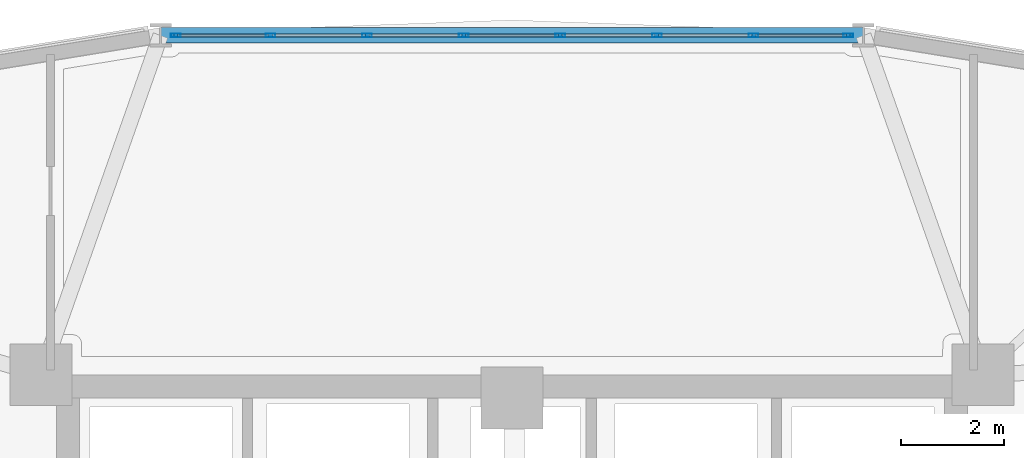
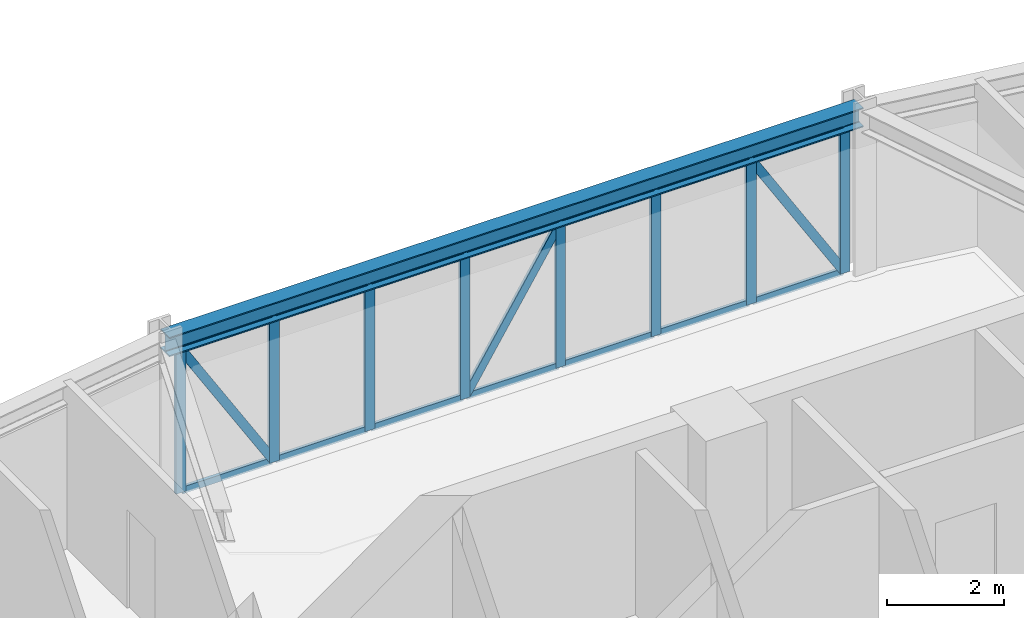
# One storey, part 8 of 17: 25 members, 1 beam, 1 element without a shape of its own.
"""IFC4 building model written with IfcOpenShell, lengths in metres."""

from ifc_helpers import new_model, si_unit, derived_unit, direction, frame, origin, origin_2d, place, context, subcontext, project, spatial, hollow_rectangle, i_section, extrude, source, transform, mapped, material, layer, layer_set, material_profile, profile_set, type_object, element, aggregate, save


model = new_model("IFC4")

# Units and contexts
model_context = context("Model", 3, precision=1e-05, world=origin(), true_north=direction((0.0, 1.0)))
body_context = subcontext(model_context, "Body", "Model", "MODEL_VIEW")
ifc_project = project(units=[si_unit("LENGTHUNIT", "METRE"), si_unit("AREAUNIT", "SQUARE_METRE"), si_unit("VOLUMEUNIT", "CUBIC_METRE"), si_unit("PLANEANGLEUNIT", "RADIAN"), si_unit("MASSUNIT", "GRAM", prefix="KILO"), derived_unit("THERMALTRANSMITTANCEUNIT", [(si_unit("POWERUNIT", "WATT"), 1), (si_unit("LENGTHUNIT", "METRE"), -2), (si_unit("THERMODYNAMICTEMPERATUREUNIT", "KELVIN"), -1)])], contexts=[model_context])

# Site, building, storey
site_placement = place(None, origin())
site = spatial("IfcSite", under=ifc_project, at=site_placement, CompositionType="ELEMENT")
building_placement = place(site_placement, origin())
building = spatial("IfcBuilding", under=site, at=building_placement, Name="Korsvarv Bourse and Concert Hall", CompositionType="ELEMENT")
storey_placement = place(building_placement, frame((0.0, 0.0, 120.60009765625)))
storey = spatial("IfcBuildingStorey", under=building, at=storey_placement, Name="L30", CompositionType="ELEMENT", Elevation=120.60009765625)

# Beam
ifc_material_1 = material(Name="Steel S355", Category="steel")
ifc_material_profile_1 = material_profile(ifc_material_1, i_section(OverallWidth=0.300048828125, OverallDepth=0.39990234375, WebThickness=0.013427734375, FlangeThickness=0.02392578125, FilletRadius=0.02099609375, at=origin_2d()), Name="HEB 400")
ifc_profile_set_1 = profile_set([ifc_material_profile_1], Name="Steel S355")
beam_type = type_object("IfcBeamType", Name="BM-HEB400", PredefinedType="SPANDREL", material=ifc_profile_set_1)
shared_shape_1 = source(origin(), body_context, "Body", "SweptSolid", [
    extrude(i_section(OverallWidth=0.300048828125, OverallDepth=0.39990234375, WebThickness=0.013427734375, FlangeThickness=0.02392578125, FilletRadius=0.02099609375, at=origin_2d()), origin(), (0.0, 0.0, 1.0), 13.6533203125),
])
beam_placement = place(storey_placement, frame((42.82666015625, 53.84130859375, 3.199951171875), z_axis=(-1.0, 0.0, 0.0), x_axis=(0.0, -1.0, 0.0)))
element("IfcBeam", 1, at=beam_placement, inside=storey, type_object=beam_type, Name="L30 beam B-09", PredefinedType="SPANDREL", context=body_context, shape_type="MappedRepresentation", body=[
    mapped(shared_shape_1, transform((0.0, 0.0, 0.0), scale=1.0)),
])

# Curtain wall, members
ifc_material_2 = material(Name="Anodised aluminium and triple low-E glazing", Category="glass")
ifc_layer = layer(ifc_material_2, 0.2099609375)
ifc_layer_set = layer_set([ifc_layer], Name="Anodised aluminium and triple low-E glazing")
curtain_wall_type = type_object("IfcCurtainWallType", Name="CW-SYS-2", PredefinedType="NOTDEFINED", material=ifc_layer_set)
curtain_wall_placement = place(storey_placement, origin())
curtain_wall = element("IfcCurtainWall", 2, at=curtain_wall_placement, inside=storey, type_object=curtain_wall_type, Name="L30 CW2 curtain wall CW-L30-F03", PredefinedType="NOTDEFINED")
ifc_material_3 = material(Name="Extruded aluminium EN AW-6063 T66", Category="aluminium")
ifc_material_profile_2 = material_profile(ifc_material_3, hollow_rectangle(XDim=0.070068359375, YDim=0.18994140625, WallThickness=0.0048828125, at=origin_2d()), Name="ALU-M 70x190")
ifc_profile_set_2 = profile_set([ifc_material_profile_2], Name="Extruded aluminium EN AW-6063 T66")
member_type_1 = type_object("IfcMemberType", Name="CWM-190", PredefinedType="MULLION", material=ifc_profile_set_2)
shared_shape_2 = source(origin(), body_context, "Body", "SweptSolid", [
    extrude(hollow_rectangle(XDim=0.070068359375, YDim=0.18994140625, WallThickness=0.0048828125, at=origin_2d()), origin(), (0.0, 0.0, 1.0), 3.0),
])
member_1_placement = place(storey_placement, frame((42.53271484375, 53.84130859375, 0.0), z_axis=(0.0, 0.0, 1.0), x_axis=(0.0, -1.0, 0.0)))
member_1 = element("IfcMember", 3, at=member_1_placement, type_object=member_type_1, Name="CW2 mullion 1", PredefinedType="MULLION", context=body_context, shape_type="MappedRepresentation", body=[
    mapped(shared_shape_2, transform((0.0, 0.0, 0.0), scale=1.0)),
])
member_2_placement = place(storey_placement, frame((40.691162109375, 53.84130859375, 0.0), z_axis=(0.0, 0.0, 1.0), x_axis=(0.0, -1.0, 0.0)))
member_2 = element("IfcMember", 4, at=member_2_placement, type_object=member_type_1, Name="CW2 mullion 2", PredefinedType="MULLION", context=body_context, shape_type="MappedRepresentation", body=[
    mapped(shared_shape_2, transform((0.0, 0.0, 0.0), scale=1.0)),
])
member_3_placement = place(storey_placement, frame((38.814697265625, 53.84130859375, 0.0), z_axis=(0.0, 0.0, 1.0), x_axis=(0.0, -1.0, 0.0)))
member_3 = element("IfcMember", 5, at=member_3_placement, type_object=member_type_1, Name="CW2 mullion 3", PredefinedType="MULLION", context=body_context, shape_type="MappedRepresentation", body=[
    mapped(shared_shape_2, transform((0.0, 0.0, 0.0), scale=1.0)),
])
member_4_placement = place(storey_placement, frame((36.938232421875, 53.84130859375, 0.0), z_axis=(0.0, 0.0, 1.0), x_axis=(0.0, -1.0, 0.0)))
member_4 = element("IfcMember", 6, at=member_4_placement, type_object=member_type_1, Name="CW2 mullion 4", PredefinedType="MULLION", context=body_context, shape_type="MappedRepresentation", body=[
    mapped(shared_shape_2, transform((0.0, 0.0, 0.0), scale=1.0)),
])
member_5_placement = place(storey_placement, frame((35.061767578125, 53.84130859375, 0.0), z_axis=(0.0, 0.0, 1.0), x_axis=(0.0, -1.0, 0.0)))
member_5 = element("IfcMember", 7, at=member_5_placement, type_object=member_type_1, Name="CW2 mullion 5", PredefinedType="MULLION", context=body_context, shape_type="MappedRepresentation", body=[
    mapped(shared_shape_2, transform((0.0, 0.0, 0.0), scale=1.0)),
])
member_6_placement = place(storey_placement, frame((33.185302734375, 53.84130859375, 0.0), z_axis=(0.0, 0.0, 1.0), x_axis=(0.0, -1.0, 0.0)))
member_6 = element("IfcMember", 8, at=member_6_placement, type_object=member_type_1, Name="CW2 mullion 6", PredefinedType="MULLION", context=body_context, shape_type="MappedRepresentation", body=[
    mapped(shared_shape_2, transform((0.0, 0.0, 0.0), scale=1.0)),
])
member_7_placement = place(storey_placement, frame((31.308837890625, 53.84130859375, 0.0), z_axis=(0.0, 0.0, 1.0), x_axis=(0.0, -1.0, 0.0)))
member_7 = element("IfcMember", 9, at=member_7_placement, type_object=member_type_1, Name="CW2 mullion 7", PredefinedType="MULLION", context=body_context, shape_type="MappedRepresentation", body=[
    mapped(shared_shape_2, transform((0.0, 0.0, 0.0), scale=1.0)),
])
member_8_placement = place(storey_placement, frame((29.46728515625, 53.84130859375, 0.0), z_axis=(0.0, 0.0, 1.0), x_axis=(0.0, -1.0, 0.0)))
member_8 = element("IfcMember", 10, at=member_8_placement, type_object=member_type_1, Name="CW2 mullion 8", PredefinedType="MULLION", context=body_context, shape_type="MappedRepresentation", body=[
    mapped(shared_shape_2, transform((0.0, 0.0, 0.0), scale=1.0)),
])
ifc_material_profile_3 = material_profile(ifc_material_3, hollow_rectangle(XDim=0.06494140625, YDim=0.139892578125, WallThickness=0.00390625, at=origin_2d()), Name="ALU-T 65x140")
ifc_profile_set_3 = profile_set([ifc_material_profile_3], Name="Extruded aluminium EN AW-6063 T66")
member_type_2 = type_object("IfcMemberType", Name="CWT-140", PredefinedType="USERDEFINED", material=ifc_profile_set_3)
shared_shape_3 = source(origin(), body_context, "Body", "SweptSolid", [
    extrude(hollow_rectangle(XDim=0.06494140625, YDim=0.139892578125, WallThickness=0.00390625, at=origin_2d()), origin(), (0.0, 0.0, 1.0), 1.771484375),
])
member_9_placement = place(storey_placement, frame((42.497802734375, 53.84130859375, 0.032470703125), z_axis=(-1.0, 0.0, 0.0), x_axis=(0.0, -1.0, 0.0)))
member_9 = element("IfcMember", 11, at=member_9_placement, type_object=member_type_2, Name="CW2 transom 1.1", ObjectType="TRANSOM", PredefinedType="USERDEFINED", context=body_context, shape_type="MappedRepresentation", body=[
    mapped(shared_shape_3, transform((0.0, 0.0, 0.0), scale=1.0)),
])
member_10_placement = place(storey_placement, frame((42.497802734375, 53.84130859375, 2.96728515625), z_axis=(-1.0, 0.0, 0.0), x_axis=(0.0, -1.0, 0.0)))
member_10 = element("IfcMember", 12, at=member_10_placement, type_object=member_type_2, Name="CW2 transom 1.2", ObjectType="TRANSOM", PredefinedType="USERDEFINED", context=body_context, shape_type="MappedRepresentation", body=[
    mapped(shared_shape_3, transform((0.0, 0.0, 0.0), scale=1.0)),
])
member_11_placement = place(storey_placement, frame((31.273681640625, 53.84130859375, 0.032470703125), z_axis=(-1.0, 0.0, 0.0), x_axis=(0.0, -1.0, 0.0)))
member_11 = element("IfcMember", 13, at=member_11_placement, type_object=member_type_2, Name="CW2 transom 7.1", ObjectType="TRANSOM", PredefinedType="USERDEFINED", context=body_context, shape_type="MappedRepresentation", body=[
    mapped(shared_shape_3, transform((0.0, 0.0, 0.0), scale=1.0)),
])
member_12_placement = place(storey_placement, frame((31.273681640625, 53.84130859375, 2.96728515625), z_axis=(-1.0, 0.0, 0.0), x_axis=(0.0, -1.0, 0.0)))
member_12 = element("IfcMember", 14, at=member_12_placement, type_object=member_type_2, Name="CW2 transom 7.2", ObjectType="TRANSOM", PredefinedType="USERDEFINED", context=body_context, shape_type="MappedRepresentation", body=[
    mapped(shared_shape_3, transform((0.0, 0.0, 0.0), scale=1.0)),
])
ifc_material_profile_4 = material_profile(ifc_material_3, hollow_rectangle(XDim=0.06494140625, YDim=0.1650390625, WallThickness=0.0048828125, at=origin_2d()), Name="ALU-M 65x165")
ifc_profile_set_4 = profile_set([ifc_material_profile_4], Name="Extruded aluminium EN AW-6063 T66")
member_type_3 = type_object("IfcMemberType", Name="CWM-165", PredefinedType="MULLION", material=ifc_profile_set_4)
shared_shape_4 = source(origin(), body_context, "Body", "SweptSolid", [
    extrude(hollow_rectangle(XDim=0.06494140625, YDim=0.1650390625, WallThickness=0.0048828125, at=origin_2d()), origin(), (0.0, 0.0, 1.0), 3.37255859375),
])
member_13_placement = place(storey_placement, frame((42.497802734375, 53.84130859375, 0.06494140625), z_axis=(-0.525260144057, 0.0, 0.850941702507), x_axis=(0.0, -1.0, 0.0)))
member_13 = element("IfcMember", 15, at=member_13_placement, type_object=member_type_3, Name="CW2 diagonal mullion 1", PredefinedType="MULLION", context=body_context, shape_type="MappedRepresentation", body=[
    mapped(shared_shape_4, transform((0.0, 0.0, 0.0), scale=1.0)),
])
member_14_placement = place(storey_placement, frame((31.273681640625, 53.84130859375, 0.06494140625), z_axis=(-0.525260144057, 0.0, 0.850941702507), x_axis=(0.0, -1.0, 0.0)))
member_14 = element("IfcMember", 16, at=member_14_placement, type_object=member_type_3, Name="CW2 diagonal mullion 7", PredefinedType="MULLION", context=body_context, shape_type="MappedRepresentation", body=[
    mapped(shared_shape_4, transform((0.0, 0.0, 0.0), scale=1.0)),
])
shared_shape_5 = source(origin(), body_context, "Body", "SweptSolid", [
    extrude(hollow_rectangle(XDim=0.06494140625, YDim=0.139892578125, WallThickness=0.00390625, at=origin_2d()), origin(), (0.0, 0.0, 1.0), 1.806640625),
])
member_15_placement = place(storey_placement, frame((40.65625, 53.84130859375, 0.032470703125), z_axis=(-1.0, 0.0, 0.0), x_axis=(0.0, -1.0, 0.0)))
member_15 = element("IfcMember", 17, at=member_15_placement, type_object=member_type_2, Name="CW2 transom 2.1", ObjectType="TRANSOM", PredefinedType="USERDEFINED", context=body_context, shape_type="MappedRepresentation", body=[
    mapped(shared_shape_5, transform((0.0, 0.0, 0.0), scale=1.0)),
])
member_16_placement = place(storey_placement, frame((40.65625, 53.84130859375, 2.96728515625), z_axis=(-1.0, 0.0, 0.0), x_axis=(0.0, -1.0, 0.0)))
member_16 = element("IfcMember", 18, at=member_16_placement, type_object=member_type_2, Name="CW2 transom 2.2", ObjectType="TRANSOM", PredefinedType="USERDEFINED", context=body_context, shape_type="MappedRepresentation", body=[
    mapped(shared_shape_5, transform((0.0, 0.0, 0.0), scale=1.0)),
])
member_17_placement = place(storey_placement, frame((38.77978515625, 53.84130859375, 0.032470703125), z_axis=(-1.0, 0.0, 0.0), x_axis=(0.0, -1.0, 0.0)))
member_17 = element("IfcMember", 19, at=member_17_placement, type_object=member_type_2, Name="CW2 transom 3.1", ObjectType="TRANSOM", PredefinedType="USERDEFINED", context=body_context, shape_type="MappedRepresentation", body=[
    mapped(shared_shape_5, transform((0.0, 0.0, 0.0), scale=1.0)),
])
member_18_placement = place(storey_placement, frame((38.77978515625, 53.84130859375, 2.96728515625), z_axis=(-1.0, 0.0, 0.0), x_axis=(0.0, -1.0, 0.0)))
member_18 = element("IfcMember", 20, at=member_18_placement, type_object=member_type_2, Name="CW2 transom 3.2", ObjectType="TRANSOM", PredefinedType="USERDEFINED", context=body_context, shape_type="MappedRepresentation", body=[
    mapped(shared_shape_5, transform((0.0, 0.0, 0.0), scale=1.0)),
])
member_19_placement = place(storey_placement, frame((36.9033203125, 53.84130859375, 0.032470703125), z_axis=(-1.0, 0.0, 0.0), x_axis=(0.0, -1.0, 0.0)))
member_19 = element("IfcMember", 21, at=member_19_placement, type_object=member_type_2, Name="CW2 transom 4.1", ObjectType="TRANSOM", PredefinedType="USERDEFINED", context=body_context, shape_type="MappedRepresentation", body=[
    mapped(shared_shape_5, transform((0.0, 0.0, 0.0), scale=1.0)),
])
member_20_placement = place(storey_placement, frame((36.9033203125, 53.84130859375, 2.96728515625), z_axis=(-1.0, 0.0, 0.0), x_axis=(0.0, -1.0, 0.0)))
member_20 = element("IfcMember", 22, at=member_20_placement, type_object=member_type_2, Name="CW2 transom 4.2", ObjectType="TRANSOM", PredefinedType="USERDEFINED", context=body_context, shape_type="MappedRepresentation", body=[
    mapped(shared_shape_5, transform((0.0, 0.0, 0.0), scale=1.0)),
])
member_21_placement = place(storey_placement, frame((35.02685546875, 53.84130859375, 0.032470703125), z_axis=(-1.0, 0.0, 0.0), x_axis=(0.0, -1.0, 0.0)))
member_21 = element("IfcMember", 23, at=member_21_placement, type_object=member_type_2, Name="CW2 transom 5.1", ObjectType="TRANSOM", PredefinedType="USERDEFINED", context=body_context, shape_type="MappedRepresentation", body=[
    mapped(shared_shape_5, transform((0.0, 0.0, 0.0), scale=1.0)),
])
member_22_placement = place(storey_placement, frame((35.02685546875, 53.84130859375, 2.96728515625), z_axis=(-1.0, 0.0, 0.0), x_axis=(0.0, -1.0, 0.0)))
member_22 = element("IfcMember", 24, at=member_22_placement, type_object=member_type_2, Name="CW2 transom 5.2", ObjectType="TRANSOM", PredefinedType="USERDEFINED", context=body_context, shape_type="MappedRepresentation", body=[
    mapped(shared_shape_5, transform((0.0, 0.0, 0.0), scale=1.0)),
])
member_23_placement = place(storey_placement, frame((33.150390625, 53.84130859375, 0.032470703125), z_axis=(-1.0, 0.0, 0.0), x_axis=(0.0, -1.0, 0.0)))
member_23 = element("IfcMember", 25, at=member_23_placement, type_object=member_type_2, Name="CW2 transom 6.1", ObjectType="TRANSOM", PredefinedType="USERDEFINED", context=body_context, shape_type="MappedRepresentation", body=[
    mapped(shared_shape_5, transform((0.0, 0.0, 0.0), scale=1.0)),
])
member_24_placement = place(storey_placement, frame((33.150390625, 53.84130859375, 2.96728515625), z_axis=(-1.0, 0.0, 0.0), x_axis=(0.0, -1.0, 0.0)))
member_24 = element("IfcMember", 26, at=member_24_placement, type_object=member_type_2, Name="CW2 transom 6.2", ObjectType="TRANSOM", PredefinedType="USERDEFINED", context=body_context, shape_type="MappedRepresentation", body=[
    mapped(shared_shape_5, transform((0.0, 0.0, 0.0), scale=1.0)),
])
shared_shape_6 = source(origin(), body_context, "Body", "SweptSolid", [
    extrude(hollow_rectangle(XDim=0.06494140625, YDim=0.1650390625, WallThickness=0.0048828125, at=origin_2d()), origin(), (0.0, 0.0, 1.0), 3.39111328125),
])
member_25_placement = place(storey_placement, frame((35.0966796875, 53.84130859375, 0.06494140625), z_axis=(0.532746437809, 0.0, 0.846274915735), x_axis=(0.0, 1.0, 0.0)))
member_25 = element("IfcMember", 27, at=member_25_placement, type_object=member_type_3, Name="CW2 diagonal mullion 4", PredefinedType="MULLION", context=body_context, shape_type="MappedRepresentation", body=[
    mapped(shared_shape_6, transform((0.0, 0.0, 0.0), scale=1.0)),
])
aggregate(curtain_wall, [member_1, member_2, member_3, member_4, member_5, member_6, member_7, member_8, member_9, member_10, member_13, member_15, member_16, member_17, member_18, member_19, member_20, member_25, member_21, member_22, member_23, member_24, member_11, member_12, member_14])

save(model, "model.ifc")
